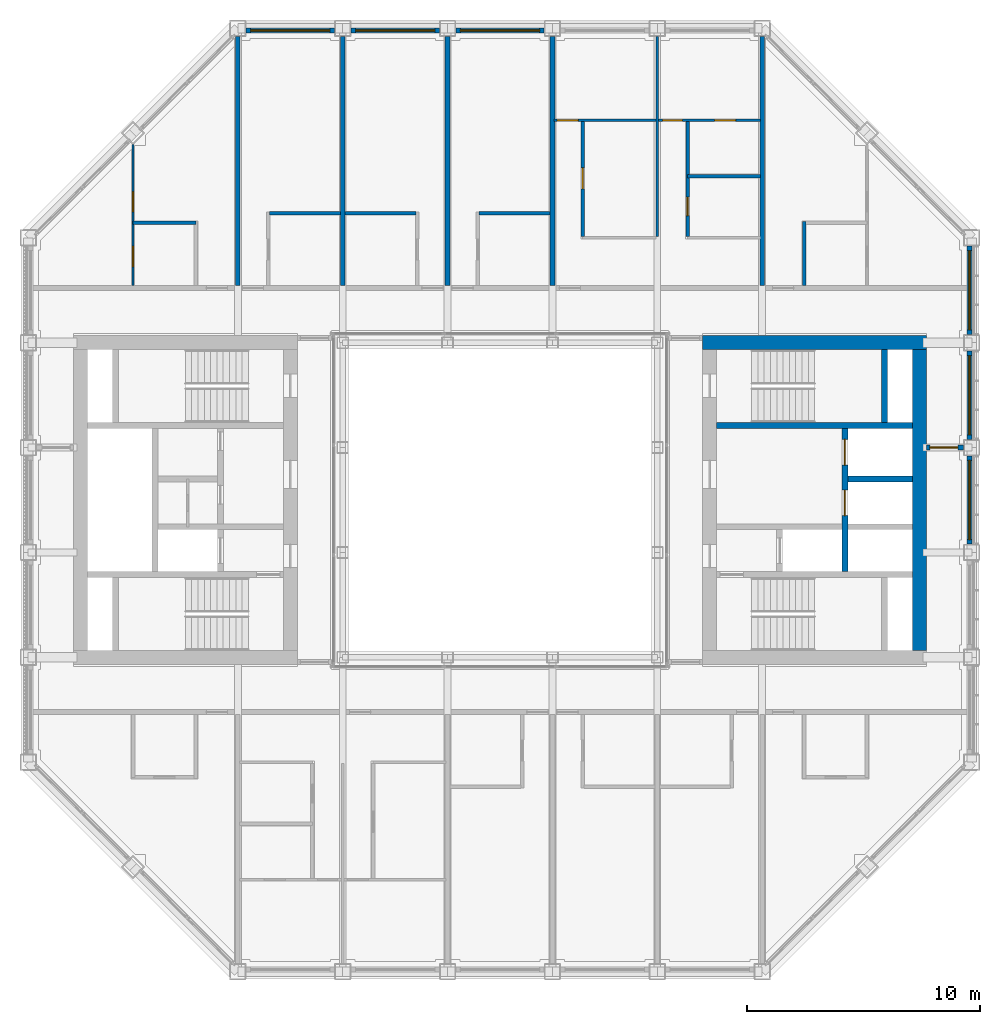
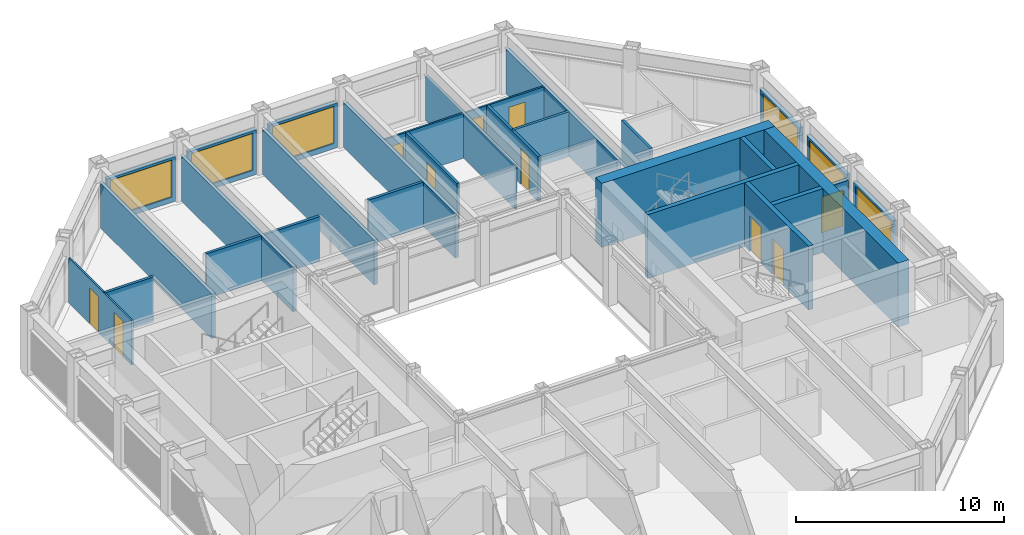
# One storey, part 12 of 18: 30 walls, 10 doors, 6 windows, 16 openings.
"""IFC4 building model written with IfcOpenShell, lengths in metres."""

from ifc_helpers import new_model, si_unit, direction, frame, frame_2d, origin, place, context, subcontext, project, spatial, rectangle, extrude, material, layer, layer_set, type_object, element, fill, save


model = new_model("IFC4")

# Units and contexts
model_context = context("Model", 3, precision=1e-05, world=origin(), true_north=direction((0.0, 1.0)))
body_context = subcontext(model_context, "Body", "Model", "MODEL_VIEW")
ifc_project = project(units=[si_unit("LENGTHUNIT", "METRE"), si_unit("AREAUNIT", "SQUARE_METRE"), si_unit("VOLUMEUNIT", "CUBIC_METRE"), si_unit("PLANEANGLEUNIT", "RADIAN"), si_unit("MASSUNIT", "GRAM", prefix="KILO")], contexts=[model_context])

# Site, building, storey
site_placement = place(None, origin())
site = spatial("IfcSite", under=ifc_project, at=site_placement, CompositionType="ELEMENT")
building_placement = place(site_placement, origin())
building = spatial("IfcBuilding", under=site, at=building_placement, Name="Msasa Ring Tower", CompositionType="ELEMENT")
storey_placement = place(building_placement, frame((0.0, 0.0, 223.300048828125)))
storey = spatial("IfcBuildingStorey", under=building, at=storey_placement, Name="L58", CompositionType="ELEMENT", Elevation=223.300048828125)

# Walls
ifc_material_1 = material(Name="Concrete C60/75", Category="concrete")
ifc_layer_1 = layer(ifc_material_1, 0.60009765625)
ifc_layer_set_1 = layer_set([ifc_layer_1], Name="CW3 CORE WALL 600")
wall_type_1 = type_object("IfcWallType", Name="CW3 CORE WALL 600", PredefinedType="SHEAR", material=ifc_layer_set_1)
wall_1_placement = place(storey_placement, frame((8.699951171875, 6.75, 0.0), z_axis=(0.0, 0.0, 1.0), x_axis=(1.0, 0.0, 0.0)))
element("IfcWall", 1, at=wall_1_placement, inside=storey, type_object=wall_type_1, Name="E core wall N L58", PredefinedType="SHEAR", context=body_context, shape_type="SweptSolid", body=[
    extrude(rectangle(XDim=9.60009765625, YDim=0.60009765625, at=frame_2d((4.800048828125, 0.0))), origin(), (0.0, 0.0, 1.0), 3.75),
])
wall_2_placement = place(storey_placement, frame((18.0, -6.449951171875, 0.0), z_axis=(0.0, 0.0, 1.0), x_axis=(0.0, 1.0, 0.0)))
element("IfcWall", 2, at=wall_2_placement, inside=storey, type_object=wall_type_1, Name="E core wall E L58", PredefinedType="SHEAR", context=body_context, shape_type="SweptSolid", body=[
    extrude(rectangle(XDim=12.89990234375, YDim=0.60009765625, at=frame_2d((6.449951171875, 0.0))), origin(), (0.0, 0.0, 1.0), 3.75),
])
ifc_material_2 = material(Name="Concrete C60/75", Category="concrete")
ifc_layer_2 = layer(ifc_material_2, 0.25)
ifc_layer_set_2 = layer_set([ifc_layer_2], Name="CW4 CORE INNER WALL 250")
wall_type_2 = type_object("IfcWallType", Name="CW4 CORE INNER WALL 250", PredefinedType="SHEAR", material=ifc_layer_set_2)
wall_3_placement = place(storey_placement, frame((9.300048828125, 3.199951171875, 0.0), z_axis=(0.0, 0.0, 1.0), x_axis=(1.0, 0.0, 0.0)))
element("IfcWall", 3, at=wall_3_placement, inside=storey, type_object=wall_type_2, Name="E core wall STAIRB L58", PredefinedType="SHEAR", context=body_context, shape_type="SweptSolid", body=[
    extrude(rectangle(XDim=8.39990234375, YDim=0.25, at=frame_2d((4.199951171875, 0.0))), origin(), (0.0, 0.0, 1.0), 3.75),
])
wall_4_placement = place(storey_placement, frame((16.5, 3.324951171875, 0.0), z_axis=(0.0, 0.0, 1.0), x_axis=(0.0, 1.0, 0.0)))
element("IfcWall", 4, at=wall_4_placement, inside=storey, type_object=wall_type_2, Name="E core wall RISERB L58", PredefinedType="SHEAR", context=body_context, shape_type="SweptSolid", body=[
    extrude(rectangle(XDim=3.125, YDim=0.25, at=frame_2d((1.5625, 0.0))), origin(), (0.0, 0.0, 1.0), 3.75),
])

# Wall, openings, doors
wall_5_placement = place(storey_placement, frame((14.800048828125, -3.074951171875, 0.0), z_axis=(0.0, 0.0, 1.0), x_axis=(0.0, 1.0, 0.0)))
wall_5 = element("IfcWall", 5, at=wall_5_placement, inside=storey, type_object=wall_type_2, Name="E core wall SHAFT L58", PredefinedType="SHEAR", context=body_context, shape_type="SweptSolid", body=[
    extrude(rectangle(XDim=6.14990234375, YDim=0.25, at=frame_2d((3.074951171875, 0.0))), origin(), (0.0, 0.0, 1.0), 3.75),
])
opening_1_placement = place(wall_5_placement, frame((2.39990234375, 0.0, 0.0)))
opening_1 = element("IfcOpeningElement", 6, at=opening_1_placement, cuts=wall_5, Name="Opening LD1", PredefinedType="OPENING", context=body_context, shape_type="SweptSolid", body=[
    extrude(rectangle(XDim=1.10009765625, YDim=2.10009765625, at=frame_2d((0.550048828125, 1.050048828125))), frame((0.0, 0.135009765625, 0.0), z_axis=(0.0, -1.0, 0.0), x_axis=(1.0, 0.0, 0.0)), (0.0, 0.0, 1.0), 0.27001953125),
])
opening_2_placement = place(wall_5_placement, frame((4.574951171875, 0.0, 0.0)))
opening_2 = element("IfcOpeningElement", 7, at=opening_2_placement, cuts=wall_5, Name="Opening LD1", PredefinedType="OPENING", context=body_context, shape_type="SweptSolid", body=[
    extrude(rectangle(XDim=1.10009765625, YDim=2.10009765625, at=frame_2d((0.550048828125, 1.050048828125))), frame((0.0, 0.135009765625, 0.0), z_axis=(0.0, -1.0, 0.0), x_axis=(1.0, 0.0, 0.0)), (0.0, 0.0, 1.0), 0.27001953125),
])
ifc_material_3 = material(Name="Stainless steel lift landing door", Category="steel")
door_type_1 = type_object("IfcDoorType", Name="LD1 LIFT LANDING DOOR 1100x2100", OperationType="DOUBLE_DOOR_SLIDING", PredefinedType="DOOR", material=ifc_material_3)
door_1_placement = place(opening_1_placement, origin())
door_1 = element("IfcDoor", 8, at=door_1_placement, inside=storey, type_object=door_type_1, Name="Lift landing door PL-H1 L58", OperationType="DOUBLE_DOOR_SLIDING", OverallHeight=2.10009765625, OverallWidth=1.10009765625, PredefinedType="DOOR", context=body_context, shape_type="SweptSolid", body=[
    extrude(rectangle(XDim=1.10009765625, YDim=2.10009765625, at=frame_2d((0.550048828125, 1.050048828125))), frame((0.0, 0.02490234375, 0.0), z_axis=(0.0, -1.0, 0.0), x_axis=(1.0, 0.0, 0.0)), (0.0, 0.0, 1.0), 0.050048828125),
])
fill(opening_1, door_1)
door_2_placement = place(opening_2_placement, origin())
door_2 = element("IfcDoor", 9, at=door_2_placement, inside=storey, type_object=door_type_1, Name="Lift landing door PL-H2 L58", OperationType="DOUBLE_DOOR_SLIDING", OverallHeight=2.10009765625, OverallWidth=1.10009765625, PredefinedType="DOOR", context=body_context, shape_type="SweptSolid", body=[
    extrude(rectangle(XDim=1.10009765625, YDim=2.10009765625, at=frame_2d((0.550048828125, 1.050048828125))), frame((0.0, 0.02490234375, 0.0), z_axis=(0.0, -1.0, 0.0), x_axis=(1.0, 0.0, 0.0)), (0.0, 0.0, 1.0), 0.050048828125),
])
fill(opening_2, door_2)

# Wall
wall_6_placement = place(storey_placement, frame((14.925048828125, 0.89990234375, 0.0), z_axis=(0.0, 0.0, 1.0), x_axis=(1.0, 0.0, 0.0)))
element("IfcWall", 10, at=wall_6_placement, inside=storey, type_object=wall_type_2, Name="E core wall HLIFT L58", PredefinedType="SHEAR", context=body_context, shape_type="SweptSolid", body=[
    extrude(rectangle(XDim=2.77490234375, YDim=0.25, at=frame_2d((1.387451171875, 0.0))), origin(), (0.0, 0.0, 1.0), 3.75),
])

# Wall, opening, window
ifc_material_4 = material(Name="Terracotta rainscreen on blockwork", Category="masonry")
ifc_layer_3 = layer(ifc_material_4, 0.199951171875)
ifc_layer_set_3 = layer_set([ifc_layer_3], Name="FW1 TERRACOTTA-LINED INFILL BAY WALL 200")
wall_type_3 = type_object("IfcWallType", Name="FW1 TERRACOTTA-LINED INFILL BAY WALL 200", PredefinedType="SOLIDWALL", material=ifc_layer_set_3)
wall_7_placement = place(storey_placement, frame((20.14990234375, -1.89501953125, 0.0), z_axis=(0.0, 0.0, 1.0), x_axis=(0.0, 1.0, 0.0)))
wall_7 = element("IfcWall", 11, at=wall_7_placement, inside=storey, type_object=wall_type_3, Name="Infill bay wall E L58 09", PredefinedType="SOLIDWALL", context=body_context, shape_type="SweptSolid", body=[
    extrude(rectangle(XDim=3.7900390625, YDim=0.199951171875, at=frame_2d((1.89501953125, 0.0))), origin(), (0.0, 0.0, 1.0), 2.62890625),
])
opening_3_placement = place(wall_7_placement, frame((0.195068359375, 0.0, 0.300048828125)))
opening_3 = element("IfcOpeningElement", 12, at=opening_3_placement, cuts=wall_7, Name="Opening WN3", PredefinedType="OPENING", context=body_context, shape_type="SweptSolid", body=[
    extrude(rectangle(XDim=3.39990234375, YDim=2.178955078125, at=frame_2d((1.699951171875, 1.08935546875))), frame((0.0, 0.10986328125, 0.0), z_axis=(0.0, -1.0, 0.0), x_axis=(1.0, 0.0, 0.0)), (0.0, 0.0, 1.0), 0.219970703125),
])
ifc_material_5 = material(Name="Aluminium frame with clear glass", Category="aluminium")
window_type = type_object("IfcWindowType", Name="WN3 SUITE WINDOW 3400x2179", PartitioningType="SINGLE_PANEL", PredefinedType="WINDOW", material=ifc_material_5)
window_1_placement = place(opening_3_placement, origin())
window_1 = element("IfcWindow", 13, at=window_1_placement, inside=storey, type_object=window_type, Name="Window E L58 09", OverallHeight=2.178955078125, OverallWidth=3.39990234375, PartitioningType="SINGLE_PANEL", PredefinedType="WINDOW", context=body_context, shape_type="SweptSolid", body=[
    extrude(rectangle(XDim=3.39990234375, YDim=2.178955078125, at=frame_2d((1.699951171875, 1.08935546875))), frame((0.0, 0.030029296875, 0.0), z_axis=(0.0, -1.0, 0.0), x_axis=(1.0, 0.0, 0.0)), (0.0, 0.0, 1.0), 0.06005859375),
])
fill(opening_3, window_1)

wall_8_placement = place(storey_placement, frame((20.14990234375, 2.60498046875, 0.0), z_axis=(0.0, 0.0, 1.0), x_axis=(0.0, 1.0, 0.0)))
wall_8 = element("IfcWall", 14, at=wall_8_placement, inside=storey, type_object=wall_type_3, Name="Infill bay wall E L58 10", PredefinedType="SOLIDWALL", context=body_context, shape_type="SweptSolid", body=[
    extrude(rectangle(XDim=3.7900390625, YDim=0.199951171875, at=frame_2d((1.89501953125, 0.0))), origin(), (0.0, 0.0, 1.0), 2.62890625),
])
opening_4_placement = place(wall_8_placement, frame((0.195068359375, 0.0, 0.300048828125)))
opening_4 = element("IfcOpeningElement", 15, at=opening_4_placement, cuts=wall_8, Name="Opening WN3", PredefinedType="OPENING", context=body_context, shape_type="SweptSolid", body=[
    extrude(rectangle(XDim=3.39990234375, YDim=2.178955078125, at=frame_2d((1.699951171875, 1.08935546875))), frame((0.0, 0.10986328125, 0.0), z_axis=(0.0, -1.0, 0.0), x_axis=(1.0, 0.0, 0.0)), (0.0, 0.0, 1.0), 0.219970703125),
])
window_2_placement = place(opening_4_placement, origin())
window_2 = element("IfcWindow", 16, at=window_2_placement, inside=storey, type_object=window_type, Name="Window E L58 10", OverallHeight=2.178955078125, OverallWidth=3.39990234375, PartitioningType="SINGLE_PANEL", PredefinedType="WINDOW", context=body_context, shape_type="SweptSolid", body=[
    extrude(rectangle(XDim=3.39990234375, YDim=2.178955078125, at=frame_2d((1.699951171875, 1.08935546875))), frame((0.0, 0.030029296875, 0.0), z_axis=(0.0, -1.0, 0.0), x_axis=(1.0, 0.0, 0.0)), (0.0, 0.0, 1.0), 0.06005859375),
])
fill(opening_4, window_2)

wall_9_placement = place(storey_placement, frame((20.14990234375, 7.10498046875, 0.0), z_axis=(0.0, 0.0, 1.0), x_axis=(0.0, 1.0, 0.0)))
wall_9 = element("IfcWall", 17, at=wall_9_placement, inside=storey, type_object=wall_type_3, Name="Infill bay wall E L58 11", PredefinedType="SOLIDWALL", context=body_context, shape_type="SweptSolid", body=[
    extrude(rectangle(XDim=3.7900390625, YDim=0.199951171875, at=frame_2d((1.89501953125, 0.0))), origin(), (0.0, 0.0, 1.0), 2.62890625),
])
opening_5_placement = place(wall_9_placement, frame((0.195068359375, 0.0, 0.300048828125)))
opening_5 = element("IfcOpeningElement", 18, at=opening_5_placement, cuts=wall_9, Name="Opening WN3", PredefinedType="OPENING", context=body_context, shape_type="SweptSolid", body=[
    extrude(rectangle(XDim=3.39990234375, YDim=2.178955078125, at=frame_2d((1.699951171875, 1.08935546875))), frame((0.0, 0.10986328125, 0.0), z_axis=(0.0, -1.0, 0.0), x_axis=(1.0, 0.0, 0.0)), (0.0, 0.0, 1.0), 0.219970703125),
])
window_3_placement = place(opening_5_placement, origin())
window_3 = element("IfcWindow", 19, at=window_3_placement, inside=storey, type_object=window_type, Name="Window E L58 11", OverallHeight=2.178955078125, OverallWidth=3.39990234375, PartitioningType="SINGLE_PANEL", PredefinedType="WINDOW", context=body_context, shape_type="SweptSolid", body=[
    extrude(rectangle(XDim=3.39990234375, YDim=2.178955078125, at=frame_2d((1.699951171875, 1.08935546875))), frame((0.0, 0.030029296875, 0.0), z_axis=(0.0, -1.0, 0.0), x_axis=(1.0, 0.0, 0.0)), (0.0, 0.0, 1.0), 0.06005859375),
])
fill(opening_5, window_3)

wall_10_placement = place(storey_placement, frame((-10.89501953125, 20.14990234375, 0.0), z_axis=(0.0, 0.0, 1.0), x_axis=(1.0, 0.0, 0.0)))
wall_10 = element("IfcWall", 20, at=wall_10_placement, inside=storey, type_object=wall_type_3, Name="Infill bay wall N L58 14", PredefinedType="SOLIDWALL", context=body_context, shape_type="SweptSolid", body=[
    extrude(rectangle(XDim=3.7900390625, YDim=0.199951171875, at=frame_2d((1.89501953125, 0.0))), origin(), (0.0, 0.0, 1.0), 2.62890625),
])
opening_6_placement = place(wall_10_placement, frame((0.195068359375, 0.0, 0.300048828125)))
opening_6 = element("IfcOpeningElement", 21, at=opening_6_placement, cuts=wall_10, Name="Opening WN3", PredefinedType="OPENING", context=body_context, shape_type="SweptSolid", body=[
    extrude(rectangle(XDim=3.39990234375, YDim=2.178955078125, at=frame_2d((1.699951171875, 1.08935546875))), frame((0.0, 0.10986328125, 0.0), z_axis=(0.0, -1.0, 0.0), x_axis=(1.0, 0.0, 0.0)), (0.0, 0.0, 1.0), 0.219970703125),
])
window_4_placement = place(opening_6_placement, origin())
window_4 = element("IfcWindow", 22, at=window_4_placement, inside=storey, type_object=window_type, Name="Window N L58 14", OverallHeight=2.178955078125, OverallWidth=3.39990234375, PartitioningType="SINGLE_PANEL", PredefinedType="WINDOW", context=body_context, shape_type="SweptSolid", body=[
    extrude(rectangle(XDim=3.39990234375, YDim=2.178955078125, at=frame_2d((1.699951171875, 1.08935546875))), frame((0.0, 0.030029296875, 0.0), z_axis=(0.0, -1.0, 0.0), x_axis=(1.0, 0.0, 0.0)), (0.0, 0.0, 1.0), 0.06005859375),
])
fill(opening_6, window_4)

wall_11_placement = place(storey_placement, frame((-6.39501953125, 20.14990234375, 0.0), z_axis=(0.0, 0.0, 1.0), x_axis=(1.0, 0.0, 0.0)))
wall_11 = element("IfcWall", 23, at=wall_11_placement, inside=storey, type_object=wall_type_3, Name="Infill bay wall N L58 15", PredefinedType="SOLIDWALL", context=body_context, shape_type="SweptSolid", body=[
    extrude(rectangle(XDim=3.7900390625, YDim=0.199951171875, at=frame_2d((1.89501953125, 0.0))), origin(), (0.0, 0.0, 1.0), 2.62890625),
])
opening_7_placement = place(wall_11_placement, frame((0.195068359375, 0.0, 0.300048828125)))
opening_7 = element("IfcOpeningElement", 24, at=opening_7_placement, cuts=wall_11, Name="Opening WN3", PredefinedType="OPENING", context=body_context, shape_type="SweptSolid", body=[
    extrude(rectangle(XDim=3.39990234375, YDim=2.178955078125, at=frame_2d((1.699951171875, 1.08935546875))), frame((0.0, 0.10986328125, 0.0), z_axis=(0.0, -1.0, 0.0), x_axis=(1.0, 0.0, 0.0)), (0.0, 0.0, 1.0), 0.219970703125),
])
window_5_placement = place(opening_7_placement, origin())
window_5 = element("IfcWindow", 25, at=window_5_placement, inside=storey, type_object=window_type, Name="Window N L58 15", OverallHeight=2.178955078125, OverallWidth=3.39990234375, PartitioningType="SINGLE_PANEL", PredefinedType="WINDOW", context=body_context, shape_type="SweptSolid", body=[
    extrude(rectangle(XDim=3.39990234375, YDim=2.178955078125, at=frame_2d((1.699951171875, 1.08935546875))), frame((0.0, 0.030029296875, 0.0), z_axis=(0.0, -1.0, 0.0), x_axis=(1.0, 0.0, 0.0)), (0.0, 0.0, 1.0), 0.06005859375),
])
fill(opening_7, window_5)

wall_12_placement = place(storey_placement, frame((-1.89501953125, 20.14990234375, 0.0), z_axis=(0.0, 0.0, 1.0), x_axis=(1.0, 0.0, 0.0)))
wall_12 = element("IfcWall", 26, at=wall_12_placement, inside=storey, type_object=wall_type_3, Name="Infill bay wall N L58 16", PredefinedType="SOLIDWALL", context=body_context, shape_type="SweptSolid", body=[
    extrude(rectangle(XDim=3.7900390625, YDim=0.199951171875, at=frame_2d((1.89501953125, 0.0))), origin(), (0.0, 0.0, 1.0), 2.62890625),
])
opening_8_placement = place(wall_12_placement, frame((0.195068359375, 0.0, 0.300048828125)))
opening_8 = element("IfcOpeningElement", 27, at=opening_8_placement, cuts=wall_12, Name="Opening WN3", PredefinedType="OPENING", context=body_context, shape_type="SweptSolid", body=[
    extrude(rectangle(XDim=3.39990234375, YDim=2.178955078125, at=frame_2d((1.699951171875, 1.08935546875))), frame((0.0, 0.10986328125, 0.0), z_axis=(0.0, -1.0, 0.0), x_axis=(1.0, 0.0, 0.0)), (0.0, 0.0, 1.0), 0.219970703125),
])
window_6_placement = place(opening_8_placement, origin())
window_6 = element("IfcWindow", 28, at=window_6_placement, inside=storey, type_object=window_type, Name="Window N L58 16", OverallHeight=2.178955078125, OverallWidth=3.39990234375, PartitioningType="SINGLE_PANEL", PredefinedType="WINDOW", context=body_context, shape_type="SweptSolid", body=[
    extrude(rectangle(XDim=3.39990234375, YDim=2.178955078125, at=frame_2d((1.699951171875, 1.08935546875))), frame((0.0, 0.030029296875, 0.0), z_axis=(0.0, -1.0, 0.0), x_axis=(1.0, 0.0, 0.0)), (0.0, 0.0, 1.0), 0.06005859375),
])
fill(opening_8, window_6)

# Wall, opening, door
ifc_material_6 = material(Name="Concrete blockwork", Category="masonry")
ifc_layer_4 = layer(ifc_material_6, 0.199951171875)
ifc_layer_set_4 = layer_set([ifc_layer_4], Name="PT1 CORRIDOR WALL 200")
wall_type_4 = type_object("IfcWallType", Name="PT1 CORRIDOR WALL 200", PredefinedType="PARTITIONING", material=ifc_layer_set_4)
wall_13_placement = place(storey_placement, frame((18.300048828125, 2.25, 0.0), z_axis=(0.0, 0.0, 1.0), x_axis=(1.0, 0.0, 0.0)))
wall_13 = element("IfcWall", 29, at=wall_13_placement, inside=storey, type_object=wall_type_4, Name="Corridor wall L58-WSE", PredefinedType="PARTITIONING", context=body_context, shape_type="SweptSolid", body=[
    extrude(rectangle(XDim=1.599853515625, YDim=0.199951171875, at=frame_2d((0.7998046875, 0.0))), origin(), (0.0, 0.0, 1.0), 2.62890625),
])
opening_9_placement = place(wall_13_placement, frame((0.14990234375, 0.0, 0.0)))
opening_9 = element("IfcOpeningElement", 30, at=opening_9_placement, cuts=wall_13, Name="Opening SC-025", PredefinedType="OPENING", context=body_context, shape_type="SweptSolid", body=[
    extrude(rectangle(XDim=1.199951171875, YDim=2.10009765625, at=frame_2d((0.60009765625, 1.050048828125))), frame((0.0, 0.10986328125, 0.0), z_axis=(0.0, -1.0, 0.0), x_axis=(1.0, 0.0, 0.0)), (0.0, 0.0, 1.0), 0.219970703125),
])
ifc_material_7 = material(Name="Timber door leaf in a steel frame", Category="steel")
door_type_2 = type_object("IfcDoorType", Name="D25 CORRIDOR PAIR OF SMOKE DOORS 1200x2100", OperationType="DOUBLE_DOOR_DOUBLE_SWING", PredefinedType="DOOR", material=ifc_material_7)
door_3_placement = place(opening_9_placement, origin())
door_3 = element("IfcDoor", 31, at=door_3_placement, inside=storey, type_object=door_type_2, Name="Door L58-WSE", OperationType="DOUBLE_DOOR_DOUBLE_SWING", OverallHeight=2.10009765625, OverallWidth=1.199951171875, PredefinedType="DOOR", context=body_context, shape_type="SweptSolid", body=[
    extrude(rectangle(XDim=1.199951171875, YDim=2.10009765625, at=frame_2d((0.60009765625, 1.050048828125))), frame((0.0, 0.02490234375, 0.0), z_axis=(0.0, -1.0, 0.0), x_axis=(1.0, 0.0, 0.0)), (0.0, 0.0, 1.0), 0.050048828125),
])
fill(opening_9, door_3)

ifc_material_8 = material(Name="Gypsum board on steel studs", Category="steel")
ifc_layer_5 = layer(ifc_material_8, 0.10009765625)
ifc_layer_set_5 = layer_set([ifc_layer_5], Name="PT2 STUD PARTITION 100")
wall_type_5 = type_object("IfcWallType", Name="PT2 STUD PARTITION 100", PredefinedType="PARTITIONING", material=ifc_layer_set_5)
wall_14_placement = place(storey_placement, frame((2.31005859375, 16.300048828125, 0.0), z_axis=(0.0, 0.0, 1.0), x_axis=(1.0, 0.0, 0.0)))
wall_14 = element("IfcWall", 32, at=wall_14_placement, inside=storey, type_object=wall_type_5, Name="Partition L58-JN03SY0", PredefinedType="PARTITIONING", context=body_context, shape_type="SweptSolid", body=[
    extrude(rectangle(XDim=4.389892578125, YDim=0.10009765625, at=frame_2d((2.19482421875, 0.0))), origin(), (0.0, 0.0, 1.0), 2.62890625),
])
opening_10_placement = place(wall_14_placement, frame((0.139892578125, 0.0, 0.0)))
opening_10 = element("IfcOpeningElement", 33, at=opening_10_placement, cuts=wall_14, Name="Opening SC-001", PredefinedType="OPENING", context=body_context, shape_type="SweptSolid", body=[
    extrude(rectangle(XDim=0.89990234375, YDim=2.10009765625, at=frame_2d((0.449951171875, 1.050048828125))), frame((0.0, 0.06005859375, 0.0), z_axis=(0.0, -1.0, 0.0), x_axis=(1.0, 0.0, 0.0)), (0.0, 0.0, 1.0), 0.1201171875),
])
ifc_material_9 = material(Name="Timber door leaf in a steel frame", Category="steel")
door_type_3 = type_object("IfcDoorType", Name="D22 INTERNAL HALL DOOR 900x2100", OperationType="SINGLE_SWING_LEFT", PredefinedType="DOOR", material=ifc_material_9)
door_4_placement = place(opening_10_placement, origin())
door_4 = element("IfcDoor", 34, at=door_4_placement, inside=storey, type_object=door_type_3, Name="Door L58-JN03L", OperationType="SINGLE_SWING_LEFT", OverallHeight=2.10009765625, OverallWidth=0.89990234375, PredefinedType="DOOR", context=body_context, shape_type="SweptSolid", body=[
    extrude(rectangle(XDim=0.89990234375, YDim=2.10009765625, at=frame_2d((0.449951171875, 1.050048828125))), frame((0.0, 0.02490234375, 0.0), z_axis=(0.0, -1.0, 0.0), x_axis=(1.0, 0.0, 0.0)), (0.0, 0.0, 1.0), 0.050048828125),
])
fill(opening_10, door_4)

# Wall
wall_15_placement = place(storey_placement, frame((6.75, 11.300048828125, 0.0), z_axis=(0.0, 0.0, 1.0), x_axis=(0.0, 1.0, 0.0)))
element("IfcWall", 35, at=wall_15_placement, inside=storey, type_object=wall_type_5, Name="Partition L58-JN03P1", PredefinedType="PARTITIONING", context=body_context, shape_type="SweptSolid", body=[
    extrude(rectangle(XDim=8.599853515625, YDim=0.10009765625, at=frame_2d((4.2998046875, 0.0))), origin(), (0.0, 0.0, 1.0), 2.62890625),
])

# Wall, openings, doors
wall_16_placement = place(storey_placement, frame((6.800048828125, 16.300048828125, 0.0), z_axis=(0.0, 0.0, 1.0), x_axis=(1.0, 0.0, 0.0)))
wall_16 = element("IfcWall", 36, at=wall_16_placement, inside=storey, type_object=wall_type_5, Name="Partition L58-JN03SY1", PredefinedType="PARTITIONING", context=body_context, shape_type="SweptSolid", body=[
    extrude(rectangle(XDim=4.389892578125, YDim=0.10009765625, at=frame_2d((2.19482421875, 0.0))), origin(), (0.0, 0.0, 1.0), 2.62890625),
])
opening_11_placement = place(wall_16_placement, frame((0.175048828125, 0.0, 0.0)))
opening_11 = element("IfcOpeningElement", 37, at=opening_11_placement, cuts=wall_16, Name="Opening SC-002", PredefinedType="OPENING", context=body_context, shape_type="SweptSolid", body=[
    extrude(rectangle(XDim=0.85009765625, YDim=2.10009765625, at=frame_2d((0.425048828125, 1.050048828125))), frame((0.0, 0.06005859375, 0.0), z_axis=(0.0, -1.0, 0.0), x_axis=(1.0, 0.0, 0.0)), (0.0, 0.0, 1.0), 0.1201171875),
])
opening_12_placement = place(wall_16_placement, frame((2.409912109375, 0.0, 0.0)))
opening_12 = element("IfcOpeningElement", 38, at=opening_12_placement, cuts=wall_16, Name="Opening SC-003", PredefinedType="OPENING", context=body_context, shape_type="SweptSolid", body=[
    extrude(rectangle(XDim=0.89990234375, YDim=2.10009765625, at=frame_2d((0.449951171875, 1.050048828125))), frame((0.0, 0.06005859375, 0.0), z_axis=(0.0, -1.0, 0.0), x_axis=(1.0, 0.0, 0.0)), (0.0, 0.0, 1.0), 0.1201171875),
])
ifc_material_10 = material(Name="Timber door leaf in a steel frame", Category="steel")
door_type_4 = type_object("IfcDoorType", Name="D14 BEDROOM DOOR 850x2100", OperationType="SINGLE_SWING_LEFT", PredefinedType="DOOR", material=ifc_material_10)
door_5_placement = place(opening_11_placement, origin())
door_5 = element("IfcDoor", 39, at=door_5_placement, inside=storey, type_object=door_type_4, Name="Door L58-JN03R1", OperationType="SINGLE_SWING_LEFT", OverallHeight=2.10009765625, OverallWidth=0.85009765625, PredefinedType="DOOR", context=body_context, shape_type="SweptSolid", body=[
    extrude(rectangle(XDim=0.85009765625, YDim=2.10009765625, at=frame_2d((0.425048828125, 1.050048828125))), frame((0.0, 0.02490234375, 0.0), z_axis=(0.0, -1.0, 0.0), x_axis=(1.0, 0.0, 0.0)), (0.0, 0.0, 1.0), 0.050048828125),
])
fill(opening_11, door_5)
ifc_material_11 = material(Name="Timber door leaf in a steel frame", Category="steel")
door_type_5 = type_object("IfcDoorType", Name="D3 BATHROOM DOOR 900x2100", OperationType="SINGLE_SWING_LEFT", PredefinedType="DOOR", material=ifc_material_11)
door_6_placement = place(opening_12_placement, origin())
door_6 = element("IfcDoor", 40, at=door_6_placement, inside=storey, type_object=door_type_5, Name="Door L58-JN03B1", OperationType="SINGLE_SWING_RIGHT", OverallHeight=2.10009765625, OverallWidth=0.89990234375, PredefinedType="DOOR", context=body_context, shape_type="SweptSolid", body=[
    extrude(rectangle(XDim=0.89990234375, YDim=2.10009765625, at=frame_2d((0.449951171875, 1.050048828125))), frame((0.0, 0.02490234375, 0.0), z_axis=(0.0, -1.0, 0.0), x_axis=(1.0, 0.0, 0.0)), (0.0, 0.0, 1.0), 0.050048828125),
])
fill(opening_12, door_6)

wall_17_placement = place(storey_placement, frame((-15.75, 9.199951171875, 0.0), z_axis=(0.0, 0.0, 1.0), x_axis=(0.0, 1.0, 0.0)))
wall_17 = element("IfcWall", 41, at=wall_17_placement, inside=storey, type_object=wall_type_5, Name="Partition L58-CSNWP1", PredefinedType="PARTITIONING", context=body_context, shape_type="SweptSolid", body=[
    extrude(rectangle(XDim=6.054931640625, YDim=0.10009765625, at=frame_2d((3.02734375, 0.0))), origin(), (0.0, 0.0, 1.0), 2.62890625),
])
opening_13_placement = place(wall_17_placement, frame((3.175048828125, 0.0, 0.0)))
opening_13 = element("IfcOpeningElement", 42, at=opening_13_placement, cuts=wall_17, Name="Opening SC-005", PredefinedType="OPENING", context=body_context, shape_type="SweptSolid", body=[
    extrude(rectangle(XDim=0.85009765625, YDim=2.10009765625, at=frame_2d((0.425048828125, 1.050048828125))), frame((0.0, 0.06005859375, 0.0), z_axis=(0.0, -1.0, 0.0), x_axis=(1.0, 0.0, 0.0)), (0.0, 0.0, 1.0), 0.1201171875),
])
opening_14_placement = place(wall_17_placement, frame((0.800048828125, 0.0, 0.0)))
opening_14 = element("IfcOpeningElement", 43, at=opening_14_placement, cuts=wall_17, Name="Opening SC-011", PredefinedType="OPENING", context=body_context, shape_type="SweptSolid", body=[
    extrude(rectangle(XDim=0.89990234375, YDim=2.10009765625, at=frame_2d((0.449951171875, 1.050048828125))), frame((0.0, 0.06005859375, 0.0), z_axis=(0.0, -1.0, 0.0), x_axis=(1.0, 0.0, 0.0)), (0.0, 0.0, 1.0), 0.1201171875),
])
door_7_placement = place(opening_13_placement, origin())
door_7 = element("IfcDoor", 44, at=door_7_placement, inside=storey, type_object=door_type_4, Name="Door L58-CSNWR1", OperationType="SINGLE_SWING_RIGHT", OverallHeight=2.10009765625, OverallWidth=0.85009765625, PredefinedType="DOOR", context=body_context, shape_type="SweptSolid", body=[
    extrude(rectangle(XDim=0.85009765625, YDim=2.10009765625, at=frame_2d((0.425048828125, 1.050048828125))), frame((0.0, 0.02490234375, 0.0), z_axis=(0.0, -1.0, 0.0), x_axis=(1.0, 0.0, 0.0)), (0.0, 0.0, 1.0), 0.050048828125),
])
fill(opening_13, door_7)
door_8_placement = place(opening_14_placement, origin())
door_8 = element("IfcDoor", 45, at=door_8_placement, inside=storey, type_object=door_type_5, Name="Door L58-CSNWB1", OperationType="SINGLE_SWING_LEFT", OverallHeight=2.10009765625, OverallWidth=0.89990234375, PredefinedType="DOOR", context=body_context, shape_type="SweptSolid", body=[
    extrude(rectangle(XDim=0.89990234375, YDim=2.10009765625, at=frame_2d((0.449951171875, 1.050048828125))), frame((0.0, 0.02490234375, 0.0), z_axis=(0.0, -1.0, 0.0), x_axis=(1.0, 0.0, 0.0)), (0.0, 0.0, 1.0), 0.050048828125),
])
fill(opening_14, door_8)

# Walls
ifc_material_12 = material(Name="Dense concrete blockwork, plastered both faces", Category="masonry")
ifc_layer_6 = layer(ifc_material_12, 0.25)
ifc_layer_set_6 = layer_set([ifc_layer_6], Name="PT3 APARTMENT SEPARATING WALL 250")
wall_type_6 = type_object("IfcWallType", Name="PT3 APARTMENT SEPARATING WALL 250", PredefinedType="PARTITIONING", material=ifc_layer_set_6)
for number, where, z_axis, x_axis, name in (
    (46, (-11.25, 9.199951171875, 0.0), (0.0, 0.0, 1.0), (0.0, 1.0, 0.0), "Party wall L58-PWN-11.25"),
    (47, (-6.75, 9.199951171875, 0.0), (0.0, 0.0, 1.0), (0.0, 1.0, 0.0), "Party wall L58-PWN-6.75"),
    (48, (-2.25, 9.199951171875, 0.0), (0.0, 0.0, 1.0), (0.0, 1.0, 0.0), "Party wall L58-PWN-2.25"),
    (49, (2.25, 9.199951171875, 0.0), (0.0, 0.0, 1.0), (0.0, 1.0, 0.0), "Party wall L58-PWN+2.25"),
    (50, (11.25, 9.199951171875, 0.0), (0.0, 0.0, 1.0), (0.0, 1.0, 0.0), "Party wall L58-PWN+11.25"),
):
    element("IfcWall", number, at=place(storey_placement, frame(where, z_axis=z_axis, x_axis=x_axis)), inside=storey, type_object=wall_type_6, Name=name, PredefinedType="PARTITIONING", context=body_context, shape_type="SweptSolid", body=[
        extrude(rectangle(XDim=10.699951171875, YDim=0.199951171875, at=frame_2d((5.35009765625, 0.0))), origin(), (0.0, 0.0, 1.0), 2.62890625),
    ])
ifc_material_13 = material(Name="Moisture-resistant board on steel studs with a concealed cistern and pipe void, tiled", Category="steel")
ifc_layer_7 = layer(ifc_material_13, 0.14990234375)
ifc_layer_set_7 = layer_set([ifc_layer_7], Name="PT4 BATHROOM WET WALL 150")
wall_type_7 = type_object("IfcWallType", Name="PT4 BATHROOM WET WALL 150", PredefinedType="PARTITIONING", material=ifc_layer_set_7)
for number, where, z_axis, x_axis, name in (
    (51, (-9.89990234375, 12.300048828125, 0.0), (0.0, 0.0, 1.0), (1.0, 0.0, 0.0), "Partition L58-JN00BY"),
    (52, (-6.64990234375, 12.300048828125, 0.0), (0.0, 0.0, 1.0), (1.0, 0.0, 0.0), "Partition L58-JN01BY"),
    (53, (-0.89990234375, 12.300048828125, 0.0), (0.0, 0.0, 1.0), (1.0, 0.0, 0.0), "Partition L58-JN02BY"),
):
    element("IfcWall", number, at=place(storey_placement, frame(where, z_axis=z_axis, x_axis=x_axis)), inside=storey, type_object=wall_type_7, Name=name, PredefinedType="PARTITIONING", context=body_context, shape_type="SweptSolid", body=[
        extrude(rectangle(XDim=3.0498046875, YDim=0.14990234375, at=frame_2d((1.52490234375, 0.0))), origin(), (0.0, 0.0, 1.0), 2.62890625),
    ])

# Wall, opening, door
wall_18_placement = place(storey_placement, frame((3.550048828125, 11.300048828125, 0.0), z_axis=(0.0, 0.0, 1.0), x_axis=(0.0, 1.0, 0.0)))
wall_18 = element("IfcWall", 54, at=wall_18_placement, inside=storey, type_object=wall_type_7, Name="Partition L58-JN03SX0", PredefinedType="PARTITIONING", context=body_context, shape_type="SweptSolid", body=[
    extrude(rectangle(XDim=5.0, YDim=0.14990234375, at=frame_2d((2.5, 0.0))), origin(), (0.0, 0.0, 1.0), 2.62890625),
])
opening_15_placement = place(wall_18_placement, frame((2.050048828125, 0.0, 0.0)))
opening_15 = element("IfcOpeningElement", 55, at=opening_15_placement, cuts=wall_18, Name="Opening SC-004", PredefinedType="OPENING", context=body_context, shape_type="SweptSolid", body=[
    extrude(rectangle(XDim=0.89990234375, YDim=2.10009765625, at=frame_2d((0.449951171875, 1.050048828125))), frame((0.0, 0.0849609375, 0.0), z_axis=(0.0, -1.0, 0.0), x_axis=(1.0, 0.0, 0.0)), (0.0, 0.0, 1.0), 0.169921875),
])
door_9_placement = place(opening_15_placement, origin())
door_9 = element("IfcDoor", 56, at=door_9_placement, inside=storey, type_object=door_type_3, Name="Door L58-JN03K", OperationType="SINGLE_SWING_LEFT", OverallHeight=2.10009765625, OverallWidth=0.89990234375, PredefinedType="DOOR", context=body_context, shape_type="SweptSolid", body=[
    extrude(rectangle(XDim=0.89990234375, YDim=2.10009765625, at=frame_2d((0.449951171875, 1.050048828125))), frame((0.0, 0.02490234375, 0.0), z_axis=(0.0, -1.0, 0.0), x_axis=(1.0, 0.0, 0.0)), (0.0, 0.0, 1.0), 0.050048828125),
])
fill(opening_15, door_9)

wall_19_placement = place(storey_placement, frame((8.050048828125, 11.300048828125, 0.0), z_axis=(0.0, 0.0, 1.0), x_axis=(0.0, 1.0, 0.0)))
wall_19 = element("IfcWall", 57, at=wall_19_placement, inside=storey, type_object=wall_type_7, Name="Partition L58-JN03SX1", PredefinedType="PARTITIONING", context=body_context, shape_type="SweptSolid", body=[
    extrude(rectangle(XDim=5.0, YDim=0.14990234375, at=frame_2d((2.5, 0.0))), origin(), (0.0, 0.0, 1.0), 2.62890625),
])
opening_16_placement = place(wall_19_placement, frame((0.89990234375, 0.0, 0.0)))
opening_16 = element("IfcOpeningElement", 58, at=opening_16_placement, cuts=wall_19, Name="Opening SC-007", PredefinedType="OPENING", context=body_context, shape_type="SweptSolid", body=[
    extrude(rectangle(XDim=0.800048828125, YDim=2.10009765625, at=frame_2d((0.39990234375, 1.050048828125))), frame((0.0, 0.0849609375, 0.0), z_axis=(0.0, -1.0, 0.0), x_axis=(1.0, 0.0, 0.0)), (0.0, 0.0, 1.0), 0.169921875),
])
ifc_material_14 = material(Name="Timber door leaf in a steel frame", Category="steel")
door_type_6 = type_object("IfcDoorType", Name="D60 DRESSING ROOM DOOR 800x2100", OperationType="SINGLE_SWING_LEFT", PredefinedType="DOOR", material=ifc_material_14)
door_10_placement = place(opening_16_placement, origin())
door_10 = element("IfcDoor", 59, at=door_10_placement, inside=storey, type_object=door_type_6, Name="Door L58-JN03W1", OperationType="SINGLE_SWING_LEFT", OverallHeight=2.10009765625, OverallWidth=0.800048828125, PredefinedType="DOOR", context=body_context, shape_type="SweptSolid", body=[
    extrude(rectangle(XDim=0.800048828125, YDim=2.10009765625, at=frame_2d((0.39990234375, 1.050048828125))), frame((0.0, 0.02490234375, 0.0), z_axis=(0.0, -1.0, 0.0), x_axis=(1.0, 0.0, 0.0)), (0.0, 0.0, 1.0), 0.050048828125),
])
fill(opening_16, door_10)

# Walls
wall_20_placement = place(storey_placement, frame((8.050048828125, 13.89990234375, 0.0), z_axis=(0.0, 0.0, 1.0), x_axis=(1.0, 0.0, 0.0)))
element("IfcWall", 60, at=wall_20_placement, inside=storey, type_object=wall_type_7, Name="Partition L58-JN03SB1", PredefinedType="PARTITIONING", context=body_context, shape_type="SweptSolid", body=[
    extrude(rectangle(XDim=3.139892578125, YDim=0.14990234375, at=frame_2d((1.56982421875, 0.0))), origin(), (0.0, 0.0, 1.0), 2.62890625),
])
wall_21_placement = place(storey_placement, frame((13.050048828125, 9.199951171875, 0.0), z_axis=(0.0, 0.0, 1.0), x_axis=(0.0, 1.0, 0.0)))
element("IfcWall", 61, at=wall_21_placement, inside=storey, type_object=wall_type_7, Name="Partition L58-CSNEBX", PredefinedType="PARTITIONING", context=body_context, shape_type="SweptSolid", body=[
    extrude(rectangle(XDim=2.75, YDim=0.14990234375, at=frame_2d((1.375, 0.0))), origin(), (0.0, 0.0, 1.0), 2.62890625),
])
wall_22_placement = place(storey_placement, frame((-15.75, 11.89990234375, 0.0), z_axis=(0.0, 0.0, 1.0), x_axis=(1.0, 0.0, 0.0)))
element("IfcWall", 62, at=wall_22_placement, inside=storey, type_object=wall_type_7, Name="Partition L58-CSNWBY", PredefinedType="PARTITIONING", context=body_context, shape_type="SweptSolid", body=[
    extrude(rectangle(XDim=2.699951171875, YDim=0.14990234375, at=frame_2d((1.35009765625, 0.0))), origin(), (0.0, 0.0, 1.0), 2.62890625),
])

save(model, "model.ifc")
